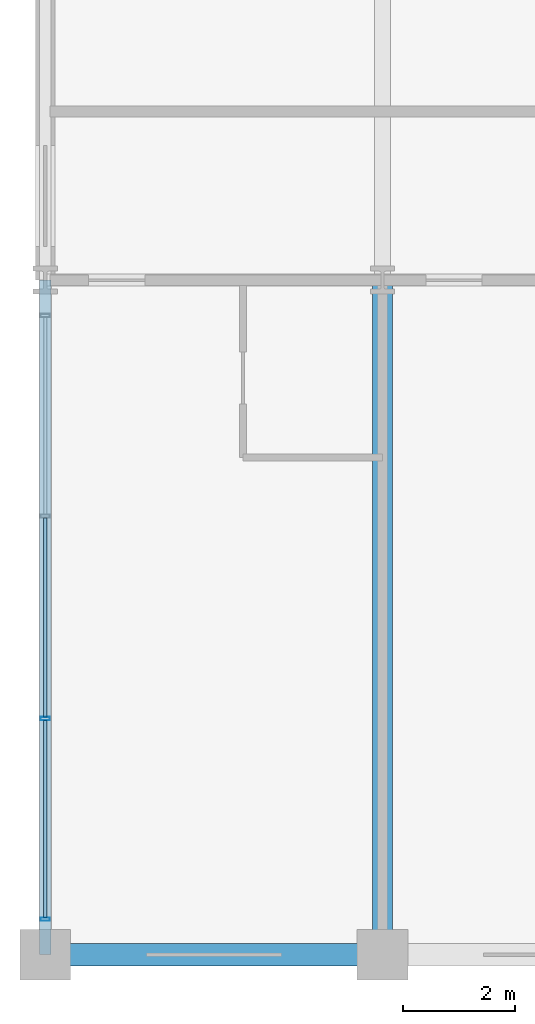
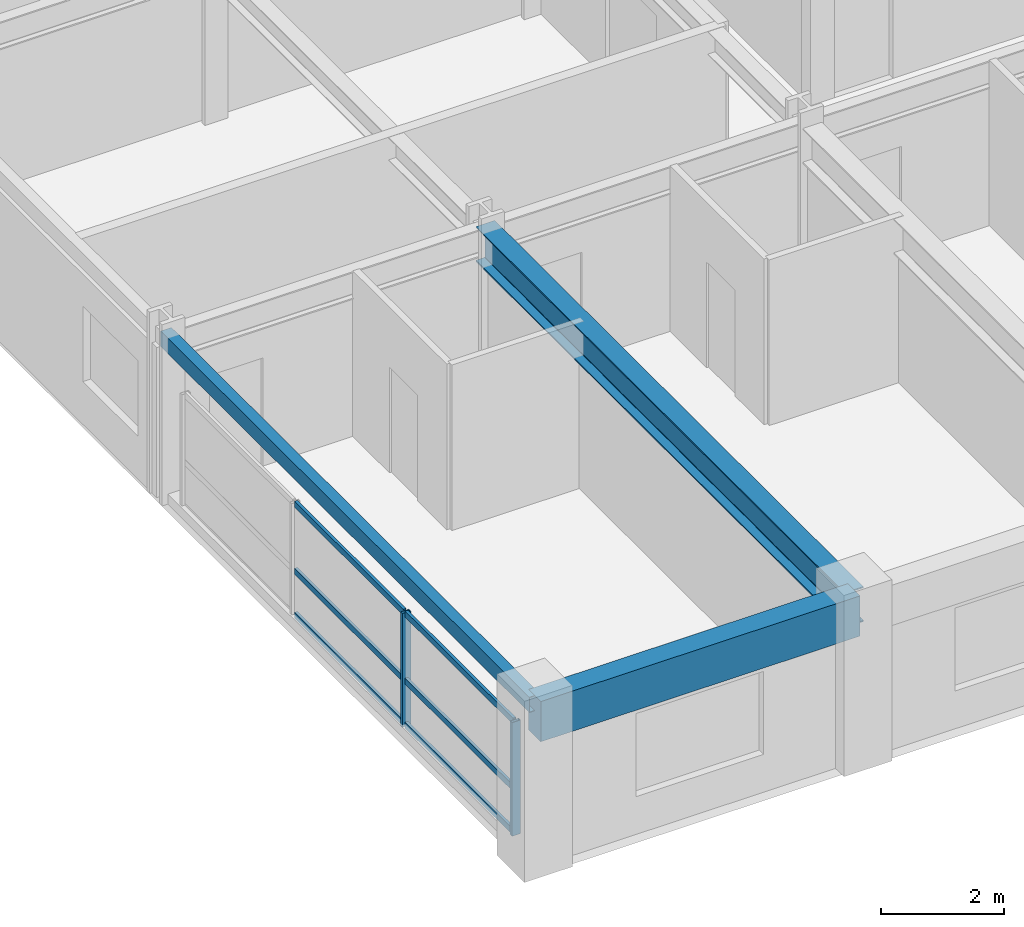
# One storey, part 2 of 22: 8 members, 3 beams, 1 element without a shape of its own.
"""IFC4 building model written with IfcOpenShell, lengths in metres."""

from ifc_helpers import new_model, si_unit, direction, frame, origin, origin_2d, place, context, subcontext, project, spatial, rectangle, hollow_rectangle, i_section, extrude, material, material_profile, profile_set, type_object, element, aggregate, save


model = new_model("IFC4")

# Units and contexts
model_context = context("Model", 3, precision=1e-05, world=origin(), true_north=direction((0.0, 1.0)))
body_context = subcontext(model_context, "Body", "Model", "MODEL_VIEW")
ifc_project = project(units=[si_unit("LENGTHUNIT", "METRE"), si_unit("AREAUNIT", "SQUARE_METRE"), si_unit("VOLUMEUNIT", "CUBIC_METRE"), si_unit("PLANEANGLEUNIT", "RADIAN"), si_unit("MASSUNIT", "GRAM", prefix="KILO")], contexts=[model_context])

# Site, building, storey
site_placement = place(None, origin())
site = spatial("IfcSite", under=ifc_project, at=site_placement, CompositionType="ELEMENT")
building_placement = place(site_placement, origin())
building = spatial("IfcBuilding", under=site, at=building_placement, Name="Kaldorvane Square Convention Centre", CompositionType="ELEMENT")
storey_placement = place(building_placement, frame((0.0, 0.0, 34.80000305175781)))
storey = spatial("IfcBuildingStorey", under=building, at=storey_placement, Name="L07", CompositionType="ELEMENT", Elevation=34.80000305175781)

# Beams
ifc_material_1 = material(Name="Steel ASTM A992 Gr. 50", Category="steel")
ifc_material_profile_1 = material_profile(ifc_material_1, i_section(OverallWidth=0.354705810546875, OverallDepth=0.69549560546875, WebThickness=0.0153961181640625, FlangeThickness=0.0251007080078125, FilletRadius=0.01519775390625, at=origin_2d()), Name="W27X146")
ifc_profile_set_1 = profile_set([ifc_material_profile_1], Name="Steel ASTM A992 Gr. 50")
beam_type_1 = type_object("IfcBeamType", Name="BM-GR-W27X146", PredefinedType="BEAM", material=ifc_profile_set_1)
beam_1_placement = place(storey_placement, frame((30.0, 84.0, 2.93829345703125), z_axis=(0.0, 1.0, 0.0), x_axis=(-1.0, 0.0, 0.0)))
element("IfcBeam", 1, at=beam_1_placement, inside=storey, type_object=beam_type_1, Name="Transverse Girder (L07)", PredefinedType="BEAM", context=body_context, shape_type="SweptSolid", body=[
    extrude(i_section(OverallWidth=0.354705810546875, OverallDepth=0.69549560546875, WebThickness=0.0153961181640625, FlangeThickness=0.0251007080078125, FilletRadius=0.01519775390625, at=origin_2d()), origin(), (0.0, 0.0, 1.0), 12.0),
])
ifc_material_2 = material(Name="Steel ASTM A500 Gr. C", Category="steel")
ifc_material_profile_2 = material_profile(ifc_material_2, hollow_rectangle(XDim=0.2032012939453125, YDim=0.3047943115234375, WallThickness=0.0088958740234375, at=origin_2d()), Name="HSS12X8X3/8")
ifc_profile_set_2 = profile_set([ifc_material_profile_2], Name="Steel ASTM A500 Gr. C")
beam_type_2 = type_object("IfcBeamType", Name="BM-SP-HSS12", PredefinedType="SPANDREL", material=ifc_profile_set_2)
beam_2_placement = place(storey_placement, frame((24.0, 84.0, 3.1335906982421875), z_axis=(0.0, 1.0, 0.0), x_axis=(-1.0, 0.0, 0.0)))
element("IfcBeam", 2, at=beam_2_placement, inside=storey, type_object=beam_type_2, Name="End Spandrel (L07)", PredefinedType="SPANDREL", context=body_context, shape_type="SweptSolid", body=[
    extrude(hollow_rectangle(XDim=0.2032012939453125, YDim=0.3047943115234375, WallThickness=0.0088958740234375, at=origin_2d()), origin(), (0.0, 0.0, 1.0), 12.0),
])
ifc_material_3 = material(Name="Concrete f'c = 42 MPa (Normalweight)", Category="concrete")
ifc_material_profile_3 = material_profile(ifc_material_3, rectangle(XDim=0.399993896484375, YDim=0.8000030517578125, at=origin_2d()), Name="RCSP800X400")
ifc_profile_set_3 = profile_set([ifc_material_profile_3], Name="Concrete f'c = 42 MPa (Normalweight)")
beam_type_3 = type_object("IfcBeamType", Name="BM-SP-RC800", PredefinedType="SPANDREL", material=ifc_profile_set_3)
beam_3_placement = place(storey_placement, frame((24.0, 84.0, 2.8860015869140625), z_axis=(1.0, 0.0, 0.0), x_axis=(0.0, 1.0, 0.0)))
element("IfcBeam", 3, at=beam_3_placement, inside=storey, type_object=beam_type_3, Name="Perimeter Spandrel (L07)", PredefinedType="SPANDREL", context=body_context, shape_type="SweptSolid", body=[
    extrude(rectangle(XDim=0.399993896484375, YDim=0.8000030517578125, at=origin_2d()), origin(), (0.0, 0.0, 1.0), 6.0),
])

# Curtain wall, members
ifc_material_4 = material(Name="Anodized Aluminum and Low-E Insulated Glazing", Category="aluminium")
curtain_wall_type = type_object("IfcCurtainWallType", Name="CW-UNI-HTL-B", PredefinedType="USERDEFINED", material=ifc_material_4)
curtain_wall_placement = place(storey_placement, origin())
curtain_wall = element("IfcCurtainWall", 4, at=curtain_wall_placement, inside=storey, type_object=curtain_wall_type, Name="Curtain Wall CW-11 (L07)", ObjectType="UNITISED GLAZING", PredefinedType="USERDEFINED")
ifc_material_profile_4 = material_profile(ifc_material_4, hollow_rectangle(XDim=0.05999755859375, YDim=0.160003662109375, WallThickness=0.003204345703125, at=origin_2d()), Name="CWM-160X60")
ifc_profile_set_4 = profile_set([ifc_material_profile_4], Name="Anodized Aluminum and Low-E Insulated Glazing")
member_type_1 = type_object("IfcMemberType", Name="CW-MUL-160", PredefinedType="MULLION", material=ifc_profile_set_4)
member_1_placement = place(storey_placement, frame((24.0, 88.19999694824219, 0.149993896484375), z_axis=(0.0, 0.0, 1.0), x_axis=(0.0, -1.0, 0.0)))
member_1 = element("IfcMember", 5, at=member_1_placement, type_object=member_type_1, Name="CW-11 mullion 3", PredefinedType="MULLION", context=body_context, shape_type="SweptSolid", body=[
    extrude(hollow_rectangle(XDim=0.05999755859375, YDim=0.160003662109375, WallThickness=0.003204345703125, at=origin_2d()), origin(), (0.0, 0.0, 1.0), 2.260009765625),
])
member_2_placement = place(storey_placement, frame((24.0, 84.6300048828125, 0.149993896484375), z_axis=(0.0, 0.0, 1.0), x_axis=(0.0, -1.0, 0.0)))
member_2 = element("IfcMember", 6, at=member_2_placement, type_object=member_type_1, Name="CW-11 mullion 4", PredefinedType="MULLION", context=body_context, shape_type="SweptSolid", body=[
    extrude(hollow_rectangle(XDim=0.05999755859375, YDim=0.160003662109375, WallThickness=0.003204345703125, at=origin_2d()), origin(), (0.0, 0.0, 1.0), 2.260009765625),
])
ifc_material_profile_5 = material_profile(ifc_material_4, hollow_rectangle(XDim=0.05499267578125, YDim=0.1199951171875, WallThickness=0.0030059814453125, at=origin_2d()), Name="CWT-120X55")
ifc_profile_set_5 = profile_set([ifc_material_profile_5], Name="Anodized Aluminum and Low-E Insulated Glazing")
member_type_2 = type_object("IfcMemberType", Name="CW-TRN-120", PredefinedType="USERDEFINED", material=ifc_profile_set_5)
member_3_placement = place(storey_placement, frame((24.0, 91.77000427246094, 0.177490234375), z_axis=(0.0, -1.0, 0.0), x_axis=(1.0, 0.0, 0.0)))
member_3 = element("IfcMember", 7, at=member_3_placement, type_object=member_type_2, Name="CW-11 transom 2.1", ObjectType="TRANSOM", PredefinedType="USERDEFINED", context=body_context, shape_type="SweptSolid", body=[
    extrude(hollow_rectangle(XDim=0.05499267578125, YDim=0.1199951171875, WallThickness=0.0030059814453125, at=origin_2d()), origin(), (0.0, 0.0, 1.0), 3.540008544921875),
])
member_4_placement = place(storey_placement, frame((24.0, 91.77000427246094, 1.0500030517578125), z_axis=(0.0, -1.0, 0.0), x_axis=(1.0, 0.0, 0.0)))
member_4 = element("IfcMember", 8, at=member_4_placement, type_object=member_type_2, Name="CW-11 transom 2.2", ObjectType="TRANSOM", PredefinedType="USERDEFINED", context=body_context, shape_type="SweptSolid", body=[
    extrude(hollow_rectangle(XDim=0.05499267578125, YDim=0.1199951171875, WallThickness=0.0030059814453125, at=origin_2d()), origin(), (0.0, 0.0, 1.0), 3.540008544921875),
])
member_5_placement = place(storey_placement, frame((24.0, 91.77000427246094, 2.3824920654296875), z_axis=(0.0, -1.0, 0.0), x_axis=(1.0, 0.0, 0.0)))
member_5 = element("IfcMember", 9, at=member_5_placement, type_object=member_type_2, Name="CW-11 transom 2.3", ObjectType="TRANSOM", PredefinedType="USERDEFINED", context=body_context, shape_type="SweptSolid", body=[
    extrude(hollow_rectangle(XDim=0.05499267578125, YDim=0.1199951171875, WallThickness=0.0030059814453125, at=origin_2d()), origin(), (0.0, 0.0, 1.0), 3.540008544921875),
])
member_6_placement = place(storey_placement, frame((24.0, 88.16999816894531, 0.177490234375), z_axis=(0.0, -1.0, 0.0), x_axis=(1.0, 0.0, 0.0)))
member_6 = element("IfcMember", 10, at=member_6_placement, type_object=member_type_2, Name="CW-11 transom 3.1", ObjectType="TRANSOM", PredefinedType="USERDEFINED", context=body_context, shape_type="SweptSolid", body=[
    extrude(hollow_rectangle(XDim=0.05499267578125, YDim=0.1199951171875, WallThickness=0.0030059814453125, at=origin_2d()), origin(), (0.0, 0.0, 1.0), 3.5099945068359375),
])
member_7_placement = place(storey_placement, frame((24.0, 88.16999816894531, 1.0500030517578125), z_axis=(0.0, -1.0, 0.0), x_axis=(1.0, 0.0, 0.0)))
member_7 = element("IfcMember", 11, at=member_7_placement, type_object=member_type_2, Name="CW-11 transom 3.2", ObjectType="TRANSOM", PredefinedType="USERDEFINED", context=body_context, shape_type="SweptSolid", body=[
    extrude(hollow_rectangle(XDim=0.05499267578125, YDim=0.1199951171875, WallThickness=0.0030059814453125, at=origin_2d()), origin(), (0.0, 0.0, 1.0), 3.5099945068359375),
])
member_8_placement = place(storey_placement, frame((24.0, 88.16999816894531, 2.3824920654296875), z_axis=(0.0, -1.0, 0.0), x_axis=(1.0, 0.0, 0.0)))
member_8 = element("IfcMember", 12, at=member_8_placement, type_object=member_type_2, Name="CW-11 transom 3.3", ObjectType="TRANSOM", PredefinedType="USERDEFINED", context=body_context, shape_type="SweptSolid", body=[
    extrude(hollow_rectangle(XDim=0.05499267578125, YDim=0.1199951171875, WallThickness=0.0030059814453125, at=origin_2d()), origin(), (0.0, 0.0, 1.0), 3.5099945068359375),
])
aggregate(curtain_wall, [member_1, member_2, member_3, member_4, member_5, member_6, member_7, member_8])

save(model, "model.ifc")
